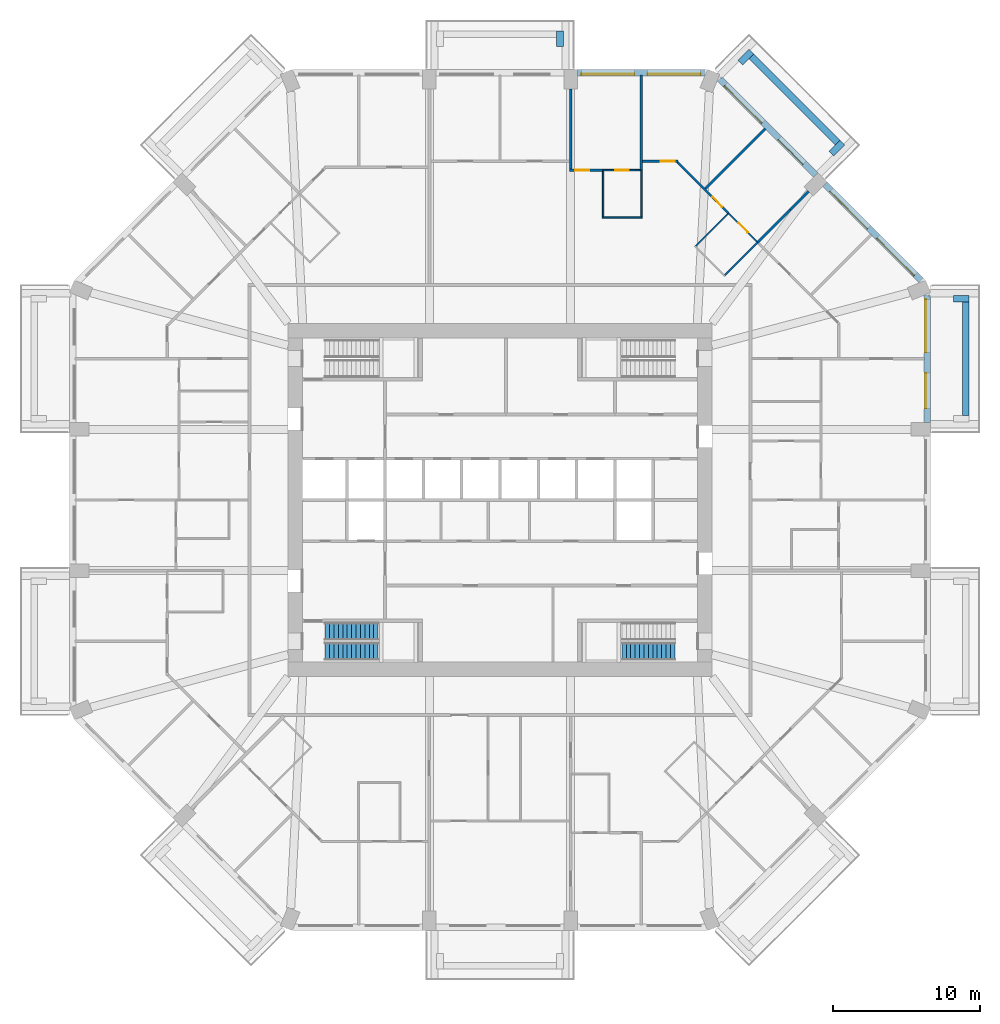
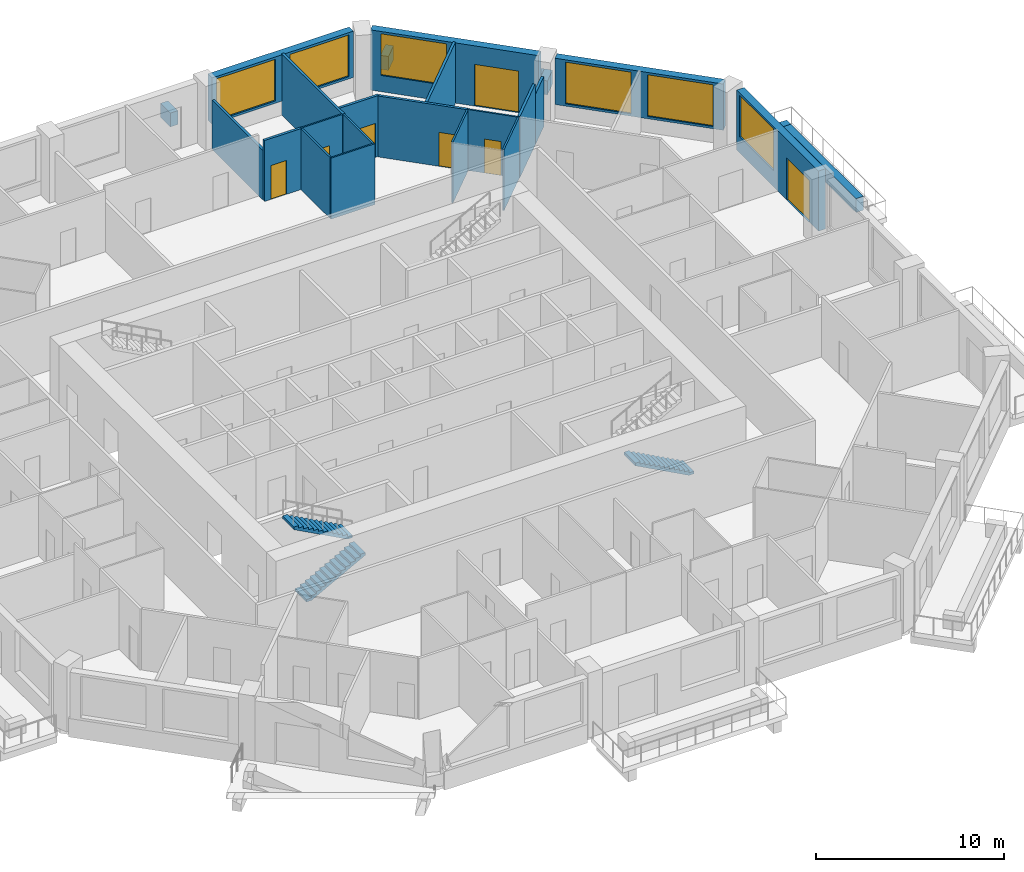
# One storey, part 10 of 13: 25 walls, 7 doors, 6 windows, 3 stair flights, 13 openings, 2 elements without a shape of their own.
"""IFC4 building model written with IfcOpenShell, lengths in metres."""

from ifc_helpers import new_model, si_unit, direction, frame, frame_2d, origin, place, context, subcontext, project, spatial, polyline, rectangle, outline, extrude, material, layer, layer_set, type_object, element, fill, aggregate, save


model = new_model("IFC4")

# Units and contexts
model_context = context("Model", 3, precision=1e-05, world=origin(), true_north=direction((0.0, 1.0)))
body_context = subcontext(model_context, "Body", "Model", "MODEL_VIEW")
ifc_project = project(units=[si_unit("LENGTHUNIT", "METRE"), si_unit("AREAUNIT", "SQUARE_METRE"), si_unit("VOLUMEUNIT", "CUBIC_METRE"), si_unit("PLANEANGLEUNIT", "RADIAN"), si_unit("MASSUNIT", "GRAM", prefix="KILO")], contexts=[model_context])

# Site, building, storey
site_placement = place(None, origin())
site = spatial("IfcSite", under=ifc_project, at=site_placement, CompositionType="ELEMENT")
building_placement = place(site_placement, origin())
building = spatial("IfcBuilding", under=site, at=building_placement, Name="Msitu Wima Residences", CompositionType="ELEMENT")
storey_placement = place(building_placement, frame((0.0, 0.0, 63.300048828125)))
storey = spatial("IfcBuildingStorey", under=building, at=storey_placement, Name="L14", CompositionType="ELEMENT", Elevation=63.300048828125)

# Walls
ifc_material_1 = material(Name="Facing brick")
ifc_layer_1 = layer(ifc_material_1, 0.06494140625, Name="Facing brick")
ifc_material_2 = material(Name="Concrete C40/50", Category="concrete")
ifc_layer_2 = layer(ifc_material_2, 0.156005859375, Name="Concrete C40/50")
ifc_material_3 = material(Name="Waterproofing membrane")
ifc_layer_3 = layer(ifc_material_3, 0.00390625, Name="Waterproofing membrane")
ifc_material_4 = material(Name="Planting soil and planting")
ifc_layer_4 = layer(ifc_material_4, 0.22509765625, Name="Planting soil and planting")
ifc_layer_set_1 = layer_set([ifc_layer_1, ifc_layer_2, ifc_layer_3, ifc_layer_4], Name="Concrete C40/50")
wall_type_1 = type_object("IfcWallType", Name="Balcony planter PLANTER PL450", PredefinedType="USERDEFINED", material=ifc_layer_set_1)
wall_1_placement = place(storey_placement, frame((31.625, 5.75, 0.0), z_axis=(0.0, 0.0, 1.0), x_axis=(0.0, 1.0, 0.0)))
element("IfcWall", 1, at=wall_1_placement, inside=storey, type_object=wall_type_1, Name="Balcony planter E2 L14", ObjectType="PLANTER", PredefinedType="USERDEFINED", context=body_context, shape_type="SweptSolid", body=[
    extrude(rectangle(XDim=7.699951171875, YDim=0.449951171875, at=frame_2d((3.85009765625, 0.0))), origin(), (0.0, 0.0, 1.0), 0.89990234375),
])
wall_2_placement = place(storey_placement, frame((30.800048828125, 13.675048828125, 0.0), z_axis=(0.0, 0.0, 1.0), x_axis=(1.0, 0.0, 0.0)))
element("IfcWall", 2, at=wall_2_placement, inside=storey, type_object=wall_type_1, Name="Balcony planter E2 L14", ObjectType="PLANTER", PredefinedType="USERDEFINED", context=body_context, shape_type="SweptSolid", body=[
    extrude(rectangle(XDim=1.050048828125, YDim=0.449951171875, at=frame_2d((0.52490234375, 0.0))), origin(), (0.0, 0.0, 1.0), 0.89990234375),
])
wall_3_placement = place(storey_placement, frame((22.92578125, 24.269287109375, 0.0), z_axis=(0.0, 0.0, 1.0), x_axis=(-0.707106781187, 0.707106781187, 0.0)))
element("IfcWall", 3, at=wall_3_placement, inside=storey, type_object=wall_type_1, Name="Balcony planter NE1 L14", ObjectType="PLANTER", PredefinedType="USERDEFINED", context=body_context, shape_type="SweptSolid", body=[
    extrude(rectangle(XDim=8.2822265625, YDim=0.449951171875, at=frame_2d((4.14111328125, 0.0))), origin(), (0.0, 0.0, 1.0), 0.89990234375),
])
for number, where, z_axis, x_axis, name in (
    (4, (22.50146484375, 23.52685546875, 0.0), (0.0, 0.0, 1.0), (0.707223014731, 0.706990528533, 0.0), "Balcony planter NE1 L14"),
    (5, (16.326904296875, 29.70166015625, 0.0), (0.0, 0.0, 1.0), (0.707106781187, 0.707106781187, 0.0), "Balcony planter NE1 L14"),
    (6, (4.074951171875, 30.800048828125, 0.0), (0.0, 0.0, 1.0), (0.0, 1.0, 0.0), "Balcony planter N1 L14"),
):
    element("IfcWall", number, at=place(storey_placement, frame(where, z_axis=z_axis, x_axis=x_axis)), inside=storey, type_object=wall_type_1, Name=name, ObjectType="PLANTER", PredefinedType="USERDEFINED", context=body_context, shape_type="SweptSolid", body=[
        extrude(rectangle(XDim=1.050048828125, YDim=0.449951171875, at=frame_2d((0.52490234375, 0.0))), origin(), (0.0, 0.0, 1.0), 0.89990234375),
    ])

# Wall, openings, door, window
ifc_material_5 = material(Name="Brick (red buff mix)", Category="masonry")
ifc_layer_5 = layer(ifc_material_5, 0.449951171875)
ifc_layer_set_2 = layer_set([ifc_layer_5], Name="Brick (red buff mix)")
wall_type_2 = type_object("IfcWallType", Name="Brick infill wall BW450", PredefinedType="SOLIDWALL", material=ifc_layer_set_2)
wall_4_placement = place(storey_placement, frame((29.02490234375, 5.25, 0.0), z_axis=(0.0, 0.0, 1.0), x_axis=(0.0, 1.0, 0.0)))
wall_4 = element("IfcWall", 7, at=wall_4_placement, inside=storey, type_object=wall_type_2, Name="Brick infill wall L14 E2", PredefinedType="SOLIDWALL", context=body_context, shape_type="SweptSolid", body=[
    extrude(rectangle(XDim=8.662841796875, YDim=0.449951171875, at=frame_2d((4.33154296875, 0.0))), origin(), (0.0, 0.0, 1.0), 3.89990234375),
])
opening_1_placement = place(wall_4_placement, frame((0.9658203125, 0.0, 0.0)))
opening_1 = element("IfcOpeningElement", 8, at=opening_1_placement, cuts=wall_4, Name="Opening D13-15.002", PredefinedType="OPENING", context=body_context, shape_type="SweptSolid", body=[
    extrude(rectangle(XDim=2.39990234375, YDim=2.699951171875, at=frame_2d((1.199951171875, 1.35009765625))), frame((0.0, 0.23486328125, 0.0), z_axis=(0.0, -1.0, 0.0), x_axis=(1.0, 0.0, 0.0)), (0.0, 0.0, 1.0), 0.469970703125),
])
opening_2_placement = place(wall_4_placement, frame((4.781494140625, 0.0, 1.050048828125)))
opening_2 = element("IfcOpeningElement", 9, at=opening_2_placement, cuts=wall_4, Name="Opening W13-15.004", PredefinedType="OPENING", context=body_context, shape_type="SweptSolid", body=[
    extrude(rectangle(XDim=3.60009765625, YDim=2.699951171875, at=frame_2d((1.800048828125, 1.35009765625))), frame((0.0, 0.23486328125, 0.0), z_axis=(0.0, -1.0, 0.0), x_axis=(1.0, 0.0, 0.0)), (0.0, 0.0, 1.0), 0.469970703125),
])
ifc_material_6 = material(Name="Anodised aluminium, bronze finish, clear low-emissivity double glazing", Category="aluminium")
door_type_1 = type_object("IfcDoorType", Name="Balcony door D2400x2700", OperationType="SLIDING_TO_LEFT", PredefinedType="DOOR", material=ifc_material_6)
door_1_placement = place(opening_1_placement, origin())
door_1 = element("IfcDoor", 10, at=door_1_placement, inside=storey, type_object=door_type_1, Name="Balcony door L14 E2", OperationType="SINGLE_SWING_LEFT", OverallHeight=2.699951171875, OverallWidth=2.39990234375, PredefinedType="DOOR", context=body_context, shape_type="SweptSolid", body=[
    extrude(rectangle(XDim=2.39990234375, YDim=2.699951171875, at=frame_2d((1.199951171875, 1.35009765625))), frame((0.0, 0.1298828125, 0.0), z_axis=(0.0, -1.0, 0.0), x_axis=(1.0, 0.0, 0.0)), (0.0, 0.0, 1.0), 0.050048828125),
])
fill(opening_1, door_1)
window_type = type_object("IfcWindowType", Name="Window W3600x2700", PartitioningType="DOUBLE_PANEL_VERTICAL", PredefinedType="WINDOW", material=ifc_material_6)
window_1_placement = place(opening_2_placement, origin())
window_1 = element("IfcWindow", 11, at=window_1_placement, inside=storey, type_object=window_type, Name="Window L14 E2.2", OverallHeight=2.699951171875, OverallWidth=3.60009765625, PartitioningType="SINGLE_PANEL", PredefinedType="WINDOW", context=body_context, shape_type="SweptSolid", body=[
    extrude(rectangle(XDim=3.60009765625, YDim=2.699951171875, at=frame_2d((1.800048828125, 1.35009765625))), frame((0.0, 0.135009765625, 0.0), z_axis=(0.0, -1.0, 0.0), x_axis=(1.0, 0.0, 0.0)), (0.0, 0.0, 1.0), 0.06005859375),
])
fill(opening_2, window_1)

# Wall, openings, windows
wall_5_placement = place(storey_placement, frame((28.61474609375, 14.903564453125, 0.89990234375), z_axis=(0.0, 0.0, 1.0), x_axis=(-0.707106781187, 0.707106781187, 0.0)))
wall_5 = element("IfcWall", 12, at=wall_5_placement, inside=storey, type_object=wall_type_2, Name="Brick infill wall L14 NE0", PredefinedType="SOLIDWALL", context=body_context, shape_type="SweptSolid", body=[
    extrude(rectangle(XDim=9.2451171875, YDim=0.449951171875, at=frame_2d((4.62255859375, 0.0))), origin(), (0.0, 0.0, 1.0), 3.0),
])
opening_3_placement = place(wall_5_placement, frame((0.572509765625, 0.0, 0.14990234375)))
opening_3 = element("IfcOpeningElement", 13, at=opening_3_placement, cuts=wall_5, Name="Opening W13-15.010", PredefinedType="OPENING", context=body_context, shape_type="SweptSolid", body=[
    extrude(rectangle(XDim=3.60009765625, YDim=2.699951171875, at=frame_2d((1.800048828125, 1.35009765625))), frame((0.0, 0.23486328125, 0.0), z_axis=(0.0, -1.0, 0.0), x_axis=(1.0, 0.0, 0.0)), (0.0, 0.0, 1.0), 0.469970703125),
])
opening_4_placement = place(wall_5_placement, frame((5.072509765625, 0.0, 0.14990234375)))
opening_4 = element("IfcOpeningElement", 14, at=opening_4_placement, cuts=wall_5, Name="Opening W13-15.011", PredefinedType="OPENING", context=body_context, shape_type="SweptSolid", body=[
    extrude(rectangle(XDim=3.60009765625, YDim=2.699951171875, at=frame_2d((1.800048828125, 1.35009765625))), frame((0.0, 0.23486328125, 0.0), z_axis=(0.0, -1.0, 0.0), x_axis=(1.0, 0.0, 0.0)), (0.0, 0.0, 1.0), 0.469970703125),
])
window_2_placement = place(opening_3_placement, origin())
window_2 = element("IfcWindow", 15, at=window_2_placement, inside=storey, type_object=window_type, Name="Window L14 NE0.1", OverallHeight=2.699951171875, OverallWidth=3.60009765625, PartitioningType="SINGLE_PANEL", PredefinedType="WINDOW", context=body_context, shape_type="SweptSolid", body=[
    extrude(rectangle(XDim=3.60009765625, YDim=2.699951171875, at=frame_2d((1.800048828125, 1.35009765625))), frame((0.0, 0.135009765625, 0.0), z_axis=(0.0, -1.0, 0.0), x_axis=(1.0, 0.0, 0.0)), (0.0, 0.0, 1.0), 0.06005859375),
])
fill(opening_3, window_2)
window_3_placement = place(opening_4_placement, origin())
window_3 = element("IfcWindow", 16, at=window_3_placement, inside=storey, type_object=window_type, Name="Window L14 NE0.2", OverallHeight=2.699951171875, OverallWidth=3.60009765625, PartitioningType="SINGLE_PANEL", PredefinedType="WINDOW", context=body_context, shape_type="SweptSolid", body=[
    extrude(rectangle(XDim=3.60009765625, YDim=2.699951171875, at=frame_2d((1.800048828125, 1.35009765625))), frame((0.0, 0.135009765625, 0.0), z_axis=(0.0, -1.0, 0.0), x_axis=(1.0, 0.0, 0.0)), (0.0, 0.0, 1.0), 0.06005859375),
])
fill(opening_4, window_3)

# Wall, openings, door, window
wall_6_placement = place(storey_placement, frame((21.44091796875, 22.077392578125, 0.0), z_axis=(0.0, 0.0, 1.0), x_axis=(-0.707106781187, 0.707106781187, 0.0)))
wall_6 = element("IfcWall", 17, at=wall_6_placement, inside=storey, type_object=wall_type_2, Name="Brick infill wall L14 NE1", PredefinedType="SOLIDWALL", context=body_context, shape_type="SweptSolid", body=[
    extrude(rectangle(XDim=9.2451171875, YDim=0.449951171875, at=frame_2d((4.62255859375, 0.0))), origin(), (0.0, 0.0, 1.0), 3.89990234375),
])
opening_5_placement = place(wall_6_placement, frame((1.111328125, 0.0, 0.0)))
opening_5 = element("IfcOpeningElement", 18, at=opening_5_placement, cuts=wall_6, Name="Opening D13-15.004", PredefinedType="OPENING", context=body_context, shape_type="SweptSolid", body=[
    extrude(rectangle(XDim=2.39990234375, YDim=2.699951171875, at=frame_2d((1.199951171875, 1.35009765625))), frame((0.0, 0.23486328125, 0.0), z_axis=(0.0, -1.0, 0.0), x_axis=(1.0, 0.0, 0.0)), (0.0, 0.0, 1.0), 0.469970703125),
])
opening_6_placement = place(wall_6_placement, frame((5.072509765625, 0.0, 1.050048828125)))
opening_6 = element("IfcOpeningElement", 19, at=opening_6_placement, cuts=wall_6, Name="Opening W13-15.012", PredefinedType="OPENING", context=body_context, shape_type="SweptSolid", body=[
    extrude(rectangle(XDim=3.60009765625, YDim=2.699951171875, at=frame_2d((1.800048828125, 1.35009765625))), frame((0.0, 0.23486328125, 0.0), z_axis=(0.0, -1.0, 0.0), x_axis=(1.0, 0.0, 0.0)), (0.0, 0.0, 1.0), 0.469970703125),
])
door_2_placement = place(opening_5_placement, origin())
door_2 = element("IfcDoor", 20, at=door_2_placement, inside=storey, type_object=door_type_1, Name="Balcony door L14 NE1", OperationType="SINGLE_SWING_LEFT", OverallHeight=2.699951171875, OverallWidth=2.39990234375, PredefinedType="DOOR", context=body_context, shape_type="SweptSolid", body=[
    extrude(rectangle(XDim=2.39990234375, YDim=2.699951171875, at=frame_2d((1.199951171875, 1.35009765625))), frame((0.0, 0.1298828125, 0.0), z_axis=(0.0, -1.0, 0.0), x_axis=(1.0, 0.0, 0.0)), (0.0, 0.0, 1.0), 0.050048828125),
])
fill(opening_5, door_2)
window_4_placement = place(opening_6_placement, origin())
window_4 = element("IfcWindow", 21, at=window_4_placement, inside=storey, type_object=window_type, Name="Window L14 NE1.2", OverallHeight=2.699951171875, OverallWidth=3.60009765625, PartitioningType="SINGLE_PANEL", PredefinedType="WINDOW", context=body_context, shape_type="SweptSolid", body=[
    extrude(rectangle(XDim=3.60009765625, YDim=2.699951171875, at=frame_2d((1.800048828125, 1.35009765625))), frame((0.0, 0.135009765625, 0.0), z_axis=(0.0, -1.0, 0.0), x_axis=(1.0, 0.0, 0.0)), (0.0, 0.0, 1.0), 0.06005859375),
])
fill(opening_6, window_4)

# Wall, openings, windows
wall_7_placement = place(storey_placement, frame((13.912841796875, 29.02490234375, 0.89990234375), z_axis=(0.0, 0.0, 1.0), x_axis=(-1.0, 0.0, 0.0)))
wall_7 = element("IfcWall", 22, at=wall_7_placement, inside=storey, type_object=wall_type_2, Name="Brick infill wall L14 N0", PredefinedType="SOLIDWALL", context=body_context, shape_type="SweptSolid", body=[
    extrude(rectangle(XDim=8.662841796875, YDim=0.449951171875, at=frame_2d((4.33154296875, 0.0))), origin(), (0.0, 0.0, 1.0), 3.0),
])
opening_7_placement = place(wall_7_placement, frame((0.281494140625, 0.0, 0.14990234375)))
opening_7 = element("IfcOpeningElement", 23, at=opening_7_placement, cuts=wall_7, Name="Opening W13-15.005", PredefinedType="OPENING", context=body_context, shape_type="SweptSolid", body=[
    extrude(rectangle(XDim=3.60009765625, YDim=2.699951171875, at=frame_2d((1.800048828125, 1.35009765625))), frame((0.0, 0.23486328125, 0.0), z_axis=(0.0, -1.0, 0.0), x_axis=(1.0, 0.0, 0.0)), (0.0, 0.0, 1.0), 0.469970703125),
])
opening_8_placement = place(wall_7_placement, frame((4.781494140625, 0.0, 0.14990234375)))
opening_8 = element("IfcOpeningElement", 24, at=opening_8_placement, cuts=wall_7, Name="Opening W13-15.006", PredefinedType="OPENING", context=body_context, shape_type="SweptSolid", body=[
    extrude(rectangle(XDim=3.60009765625, YDim=2.699951171875, at=frame_2d((1.800048828125, 1.35009765625))), frame((0.0, 0.23486328125, 0.0), z_axis=(0.0, -1.0, 0.0), x_axis=(1.0, 0.0, 0.0)), (0.0, 0.0, 1.0), 0.469970703125),
])
window_5_placement = place(opening_7_placement, origin())
window_5 = element("IfcWindow", 25, at=window_5_placement, inside=storey, type_object=window_type, Name="Window L14 N0.1", OverallHeight=2.699951171875, OverallWidth=3.60009765625, PartitioningType="SINGLE_PANEL", PredefinedType="WINDOW", context=body_context, shape_type="SweptSolid", body=[
    extrude(rectangle(XDim=3.60009765625, YDim=2.699951171875, at=frame_2d((1.800048828125, 1.35009765625))), frame((0.0, 0.135009765625, 0.0), z_axis=(0.0, -1.0, 0.0), x_axis=(1.0, 0.0, 0.0)), (0.0, 0.0, 1.0), 0.06005859375),
])
fill(opening_7, window_5)
window_6_placement = place(opening_8_placement, origin())
window_6 = element("IfcWindow", 26, at=window_6_placement, inside=storey, type_object=window_type, Name="Window L14 N0.2", OverallHeight=2.699951171875, OverallWidth=3.60009765625, PartitioningType="SINGLE_PANEL", PredefinedType="WINDOW", context=body_context, shape_type="SweptSolid", body=[
    extrude(rectangle(XDim=3.60009765625, YDim=2.699951171875, at=frame_2d((1.800048828125, 1.35009765625))), frame((0.0, 0.135009765625, 0.0), z_axis=(0.0, -1.0, 0.0), x_axis=(1.0, 0.0, 0.0)), (0.0, 0.0, 1.0), 0.06005859375),
])
fill(opening_8, window_6)

# Wall
ifc_material_7 = material(Name="Plaster")
ifc_layer_6 = layer(ifc_material_7, 0.011962890625, Name="Plaster")
ifc_material_8 = material(Name="Concrete blockwork", Category="masonry")
ifc_layer_7 = layer(ifc_material_8, 0.1259765625, Name="Concrete blockwork")
ifc_layer_8 = layer(ifc_material_7, 0.011962890625, Name="Plaster")
ifc_layer_set_3 = layer_set([ifc_layer_6, ifc_layer_7, ifc_layer_8], Name="Concrete blockwork")
wall_type_3 = type_object("IfcWallType", Name="Partition PW150", PredefinedType="PARTITIONING", material=ifc_layer_set_3)
wall_8_placement = place(storey_placement, frame((4.800048828125, 22.47509765625, 0.0), z_axis=(0.0, 0.0, 1.0), x_axis=(0.0, 1.0, 0.0)))
element("IfcWall", 27, at=wall_8_placement, inside=storey, type_object=wall_type_3, Name="Partition", PredefinedType="PARTITIONING", context=body_context, shape_type="SweptSolid", body=[
    extrude(rectangle(XDim=5.4248046875, YDim=0.14990234375, at=frame_2d((2.71240234375, 0.0))), origin(), (0.0, 0.0, 1.0), 3.199951171875),
])

# Wall, opening, door
wall_9_placement = place(storey_placement, frame((4.72509765625, 22.39990234375, 0.0), z_axis=(0.0, 0.0, 1.0), x_axis=(1.0, 0.0, 0.0)))
wall_9 = element("IfcWall", 28, at=wall_9_placement, inside=storey, type_object=wall_type_3, Name="Partition", PredefinedType="PARTITIONING", context=body_context, shape_type="SweptSolid", body=[
    extrude(rectangle(XDim=2.2548828125, YDim=0.14990234375, at=frame_2d((1.12744140625, 0.0))), origin(), (0.0, 0.0, 1.0), 3.949951171875),
])
opening_9_placement = place(wall_9_placement, frame((0.39990234375, 0.0, 0.0)))
opening_9 = element("IfcOpeningElement", 29, at=opening_9_placement, cuts=wall_9, Name="Opening D13-15.041", PredefinedType="OPENING", context=body_context, shape_type="SweptSolid", body=[
    extrude(rectangle(XDim=0.949951171875, YDim=2.199951171875, at=frame_2d((0.47509765625, 1.10009765625))), frame((0.0, 0.0849609375, 0.0), z_axis=(0.0, -1.0, 0.0), x_axis=(1.0, 0.0, 0.0)), (0.0, 0.0, 1.0), 0.169921875),
])
ifc_material_9 = material(Name="Timber flush door", Category="wood")
door_type_2 = type_object("IfcDoorType", Name="Room door D12 950x2200", OperationType="SINGLE_SWING_LEFT", PredefinedType="DOOR", material=ifc_material_9)
door_3_placement = place(opening_9_placement, origin())
door_3 = element("IfcDoor", 30, at=door_3_placement, inside=storey, type_object=door_type_2, Name="Room door", OperationType="SINGLE_SWING_LEFT", OverallHeight=2.199951171875, OverallWidth=0.949951171875, PredefinedType="DOOR", context=body_context, shape_type="SweptSolid", body=[
    extrude(rectangle(XDim=0.949951171875, YDim=2.199951171875, at=frame_2d((0.47509765625, 1.10009765625))), frame((0.0, 0.02490234375, 0.0), z_axis=(0.0, -1.0, 0.0), x_axis=(1.0, 0.0, 0.0)), (0.0, 0.0, 1.0), 0.050048828125),
])
fill(opening_9, door_3)

# Wall
wall_10_placement = place(storey_placement, frame((9.60009765625, 22.3798828125, 0.0), z_axis=(0.0, 0.0, 1.0), x_axis=(0.0, 1.0, 0.0)))
element("IfcWall", 31, at=wall_10_placement, inside=storey, type_object=wall_type_3, Name="Partition", PredefinedType="PARTITIONING", context=body_context, shape_type="SweptSolid", body=[
    extrude(rectangle(XDim=6.47509765625, YDim=0.14990234375, at=frame_2d((3.237548828125, 0.0))), origin(), (0.0, 0.0, 1.0), 3.949951171875),
])

# Wall, opening, door
wall_11_placement = place(storey_placement, frame((9.675048828125, 23.0, 0.0), z_axis=(0.0, 0.0, 1.0), x_axis=(1.0, 0.0, 0.0)))
wall_11 = element("IfcWall", 32, at=wall_11_placement, inside=storey, type_object=wall_type_3, Name="Partition", PredefinedType="PARTITIONING", context=body_context, shape_type="SweptSolid", body=[
    extrude(rectangle(XDim=2.3974609375, YDim=0.14990234375, at=frame_2d((1.19873046875, 0.0))), origin(), (0.0, 0.0, 1.0), 3.949951171875),
])
opening_10_placement = place(wall_11_placement, frame((1.25, 0.0, 0.0)))
opening_10 = element("IfcOpeningElement", 33, at=opening_10_placement, cuts=wall_11, Name="Opening D13-15.045", PredefinedType="OPENING", context=body_context, shape_type="SweptSolid", body=[
    extrude(rectangle(XDim=0.949951171875, YDim=2.199951171875, at=frame_2d((0.47509765625, 1.10009765625))), frame((0.0, 0.0849609375, 0.0), z_axis=(0.0, -1.0, 0.0), x_axis=(1.0, 0.0, 0.0)), (0.0, 0.0, 1.0), 0.169921875),
])
door_4_placement = place(opening_10_placement, origin())
door_4 = element("IfcDoor", 34, at=door_4_placement, inside=storey, type_object=door_type_2, Name="Room door", OperationType="SINGLE_SWING_LEFT", OverallHeight=2.199951171875, OverallWidth=0.949951171875, PredefinedType="DOOR", context=body_context, shape_type="SweptSolid", body=[
    extrude(rectangle(XDim=0.949951171875, YDim=2.199951171875, at=frame_2d((0.47509765625, 1.10009765625))), frame((0.0, 0.02490234375, 0.0), z_axis=(0.0, -1.0, 0.0), x_axis=(1.0, 0.0, 0.0)), (0.0, 0.0, 1.0), 0.050048828125),
])
fill(opening_10, door_4)

wall_12_placement = place(storey_placement, frame((12.050537109375, 22.947021484375, 0.0), z_axis=(0.0, 0.0, 1.0), x_axis=(0.707106781187, -0.707106781187, 0.0)))
wall_12 = element("IfcWall", 35, at=wall_12_placement, inside=storey, type_object=wall_type_3, Name="Partition", PredefinedType="PARTITIONING", context=body_context, shape_type="SweptSolid", body=[
    extrude(rectangle(XDim=4.90478515625, YDim=0.14990234375, at=frame_2d((2.452392578125, 0.0))), origin(), (0.0, 0.0, 1.0), 3.949951171875),
])
opening_11_placement = place(wall_12_placement, frame((3.35009765625, 0.0, 0.0)))
opening_11 = element("IfcOpeningElement", 36, at=opening_11_placement, cuts=wall_12, Name="Opening D13-15.039", PredefinedType="OPENING", context=body_context, shape_type="SweptSolid", body=[
    extrude(rectangle(XDim=0.949951171875, YDim=2.199951171875, at=frame_2d((0.47509765625, 1.10009765625))), frame((0.0, 0.0849609375, 0.0), z_axis=(0.0, -1.0, 0.0), x_axis=(1.0, 0.0, 0.0)), (0.0, 0.0, 1.0), 0.169921875),
])
door_5_placement = place(opening_11_placement, origin())
door_5 = element("IfcDoor", 37, at=door_5_placement, inside=storey, type_object=door_type_2, Name="Room door", OperationType="SINGLE_SWING_LEFT", OverallHeight=2.199951171875, OverallWidth=0.949951171875, PredefinedType="DOOR", context=body_context, shape_type="SweptSolid", body=[
    extrude(rectangle(XDim=0.949951171875, YDim=2.199951171875, at=frame_2d((0.47509765625, 1.10009765625))), frame((0.0, 0.02490234375, 0.0), z_axis=(0.0, -1.0, 0.0), x_axis=(1.0, 0.0, 0.0)), (0.0, 0.0, 1.0), 0.050048828125),
])
fill(opening_11, door_5)

# Walls
wall_13_placement = place(storey_placement, frame((13.951904296875, 21.15185546875, 0.0), z_axis=(0.0, 0.0, 1.0), x_axis=(0.707085550893, 0.707128010843, 0.0)))
element("IfcWall", 38, at=wall_13_placement, inside=storey, type_object=wall_type_3, Name="Partition", PredefinedType="PARTITIONING", context=body_context, shape_type="SweptSolid", body=[
    extrude(rectangle(XDim=5.75, YDim=0.14990234375, at=frame_2d((2.875, 0.0))), origin(), (0.0, 0.0, 1.0), 3.949951171875),
])
wall_14_placement = place(storey_placement, frame((17.484619140625, 17.484619140625, 0.0), z_axis=(0.0, 0.0, 1.0), x_axis=(0.707106781187, 0.707106781187, 0.0)))
element("IfcWall", 39, at=wall_14_placement, inside=storey, type_object=wall_type_3, Name="Partition", PredefinedType="PARTITIONING", context=body_context, shape_type="SweptSolid", body=[
    extrude(rectangle(XDim=3.171630859375, YDim=0.14990234375, at=frame_2d((1.5859375, 0.0))), origin(), (0.0, 0.0, 1.0), 3.949951171875),
])
wall_15_placement = place(storey_placement, frame((19.727294921875, 19.727294921875, 0.0), z_axis=(0.0, 0.0, 1.0), x_axis=(0.707106781187, 0.707106781187, 0.0)))
element("IfcWall", 40, at=wall_15_placement, inside=storey, type_object=wall_type_3, Name="Partition", PredefinedType="PARTITIONING", context=body_context, shape_type="SweptSolid", body=[
    extrude(rectangle(XDim=1.74853515625, YDim=0.14990234375, at=frame_2d((0.874267578125, 0.0))), origin(), (0.0, 0.0, 1.0), 3.25),
])

# Wall, opening, door
ifc_material_10 = material(Name="Ceramic tiles")
ifc_layer_9 = layer(ifc_material_10, 0.008056640625, Name="Ceramic tiles")
ifc_material_11 = material(Name="Moisture-resistant board")
ifc_layer_10 = layer(ifc_material_11, 0.012451171875, Name="Moisture-resistant board")
ifc_material_12 = material(Name="Light-gauge stud framing with mineral wool")
ifc_layer_11 = layer(ifc_material_12, 0.06689453125, Name="Light-gauge stud framing with mineral wool")
ifc_layer_12 = layer(ifc_material_11, 0.012451171875, Name="Moisture-resistant board")
ifc_layer_set_4 = layer_set([ifc_layer_9, ifc_layer_10, ifc_layer_11, ifc_layer_12], Name="Light-gauge stud framing with mineral wool")
wall_type_4 = type_object("IfcWallType", Name="Wet wall PW100", PredefinedType="PARTITIONING", material=ifc_layer_set_4)
wall_16_placement = place(storey_placement, frame((6.97998046875, 22.39990234375, 0.0), z_axis=(0.0, 0.0, 1.0), x_axis=(1.0, 0.0, 0.0)))
wall_16 = element("IfcWall", 41, at=wall_16_placement, inside=storey, type_object=wall_type_4, Name="Wet wall", PredefinedType="PARTITIONING", context=body_context, shape_type="SweptSolid", body=[
    extrude(rectangle(XDim=2.544921875, YDim=0.10009765625, at=frame_2d((1.2724609375, 0.0))), origin(), (0.0, 0.0, 1.0), 3.949951171875),
])
opening_12_placement = place(wall_16_placement, frame((0.85009765625, 0.0, 0.0)))
opening_12 = element("IfcOpeningElement", 42, at=opening_12_placement, cuts=wall_16, Name="Opening D13-15.042", PredefinedType="OPENING", context=body_context, shape_type="SweptSolid", body=[
    extrude(rectangle(XDim=0.89990234375, YDim=2.199951171875, at=frame_2d((0.449951171875, 1.10009765625))), frame((0.0, 0.06005859375, 0.0), z_axis=(0.0, -1.0, 0.0), x_axis=(1.0, 0.0, 0.0)), (0.0, 0.0, 1.0), 0.1201171875),
])
ifc_material_13 = material(Name="Timber flush door, moisture resistant", Category="wood")
door_type_3 = type_object("IfcDoorType", Name="Bathroom door D03 900x2200", OperationType="SINGLE_SWING_LEFT", PredefinedType="DOOR", material=ifc_material_13)
door_6_placement = place(opening_12_placement, origin())
door_6 = element("IfcDoor", 43, at=door_6_placement, inside=storey, type_object=door_type_3, Name="Bathroom door", OperationType="SINGLE_SWING_RIGHT", OverallHeight=2.199951171875, OverallWidth=0.89990234375, PredefinedType="DOOR", context=body_context, shape_type="SweptSolid", body=[
    extrude(rectangle(XDim=0.89990234375, YDim=2.199951171875, at=frame_2d((0.449951171875, 1.10009765625))), frame((0.0, 0.02490234375, 0.0), z_axis=(0.0, -1.0, 0.0), x_axis=(1.0, 0.0, 0.0)), (0.0, 0.0, 1.0), 0.050048828125),
])
fill(opening_12, door_6)

# Walls
wall_17_placement = place(storey_placement, frame((7.0, 19.25, 0.0), z_axis=(0.0, 0.0, 1.0), x_axis=(0.0, 1.0, 0.0)))
element("IfcWall", 44, at=wall_17_placement, inside=storey, type_object=wall_type_4, Name="Wet wall", PredefinedType="PARTITIONING", context=body_context, shape_type="SweptSolid", body=[
    extrude(rectangle(XDim=3.074951171875, YDim=0.10009765625, at=frame_2d((1.53759765625, 0.0))), origin(), (0.0, 0.0, 1.0), 3.949951171875),
])
wall_18_placement = place(storey_placement, frame((6.949951171875, 19.199951171875, 0.0), z_axis=(0.0, 0.0, 1.0), x_axis=(1.0, 0.0, 0.0)))
element("IfcWall", 45, at=wall_18_placement, inside=storey, type_object=wall_type_4, Name="Wet wall", PredefinedType="PARTITIONING", context=body_context, shape_type="SweptSolid", body=[
    extrude(rectangle(XDim=2.699951171875, YDim=0.10009765625, at=frame_2d((1.35009765625, 0.0))), origin(), (0.0, 0.0, 1.0), 3.949951171875),
])
wall_19_placement = place(storey_placement, frame((9.60009765625, 19.25, 0.0), z_axis=(0.0, 0.0, 1.0), x_axis=(0.0, 1.0, 0.0)))
element("IfcWall", 46, at=wall_19_placement, inside=storey, type_object=wall_type_4, Name="Wet wall", PredefinedType="PARTITIONING", context=body_context, shape_type="SweptSolid", body=[
    extrude(rectangle(XDim=3.1298828125, YDim=0.10009765625, at=frame_2d((1.56494140625, 0.0))), origin(), (0.0, 0.0, 1.0), 3.949951171875),
])
wall_20_placement = place(storey_placement, frame((13.29150390625, 17.251220703125, 0.0), z_axis=(0.0, 0.0, 1.0), x_axis=(0.707106781187, 0.707106781187, 0.0)))
element("IfcWall", 47, at=wall_20_placement, inside=storey, type_object=wall_type_4, Name="Wet wall", PredefinedType="PARTITIONING", context=body_context, shape_type="SweptSolid", body=[
    extrude(rectangle(XDim=3.10009765625, YDim=0.10009765625, at=frame_2d((1.550048828125, 0.0))), origin(), (0.0, 0.0, 1.0), 3.949951171875),
])
wall_21_placement = place(storey_placement, frame((15.271484375, 15.271484375, 0.0), z_axis=(0.0, 0.0, 1.0), x_axis=(0.707106781187, 0.707106781187, 0.0)))
element("IfcWall", 48, at=wall_21_placement, inside=storey, type_object=wall_type_4, Name="Wet wall", PredefinedType="PARTITIONING", context=body_context, shape_type="SweptSolid", body=[
    extrude(rectangle(XDim=3.1298828125, YDim=0.10009765625, at=frame_2d((1.56494140625, 0.0))), origin(), (0.0, 0.0, 1.0), 3.949951171875),
])

# Wall, opening, door
wall_22_placement = place(storey_placement, frame((15.518798828125, 19.478759765625, 0.0), z_axis=(0.0, 0.0, 1.0), x_axis=(0.707106781187, -0.707106781187, 0.0)))
wall_22 = element("IfcWall", 49, at=wall_22_placement, inside=storey, type_object=wall_type_4, Name="Wet wall", PredefinedType="PARTITIONING", context=body_context, shape_type="SweptSolid", body=[
    extrude(rectangle(XDim=2.800048828125, YDim=0.10009765625, at=frame_2d((1.39990234375, 0.0))), origin(), (0.0, 0.0, 1.0), 3.949951171875),
])
opening_13_placement = place(wall_22_placement, frame((0.949951171875, 0.0, 0.0)))
opening_13 = element("IfcOpeningElement", 50, at=opening_13_placement, cuts=wall_22, Name="Opening D13-15.040", PredefinedType="OPENING", context=body_context, shape_type="SweptSolid", body=[
    extrude(rectangle(XDim=0.89990234375, YDim=2.199951171875, at=frame_2d((0.449951171875, 1.10009765625))), frame((0.0, 0.06005859375, 0.0), z_axis=(0.0, -1.0, 0.0), x_axis=(1.0, 0.0, 0.0)), (0.0, 0.0, 1.0), 0.1201171875),
])
door_7_placement = place(opening_13_placement, origin())
door_7 = element("IfcDoor", 51, at=door_7_placement, inside=storey, type_object=door_type_3, Name="Bathroom door", OperationType="SINGLE_SWING_LEFT", OverallHeight=2.199951171875, OverallWidth=0.89990234375, PredefinedType="DOOR", context=body_context, shape_type="SweptSolid", body=[
    extrude(rectangle(XDim=0.89990234375, YDim=2.199951171875, at=frame_2d((0.449951171875, 1.10009765625))), frame((0.0, 0.02490234375, 0.0), z_axis=(0.0, -1.0, 0.0), x_axis=(1.0, 0.0, 0.0)), (0.0, 0.0, 1.0), 0.050048828125),
])
fill(opening_13, door_7)

# Stair, stair flights
stair_type = type_object("IfcStairType", Name="Exit stair ES1615-120", PredefinedType="HALF_TURN_STAIR", material=ifc_material_2)
stair_1_placement = place(storey_placement, origin())
stair_1 = element("IfcStair", 52, at=stair_1_placement, inside=storey, type_object=stair_type, Name="Exit stair 2", PredefinedType="HALF_TURN_STAIR")
stair_flight_type = type_object("IfcStairFlightType", Name="Exit stair flight ES1615-120", PredefinedType="STRAIGHT", material=ifc_material_2)
stair_flight_1_placement = place(storey_placement, frame((-11.875, -10.27490234375, 0.0), z_axis=(0.0, 0.0, 1.0), x_axis=(1.0, 0.0, 0.0)))
stair_flight_1 = element("IfcStairFlight", 53, at=stair_flight_1_placement, type_object=stair_flight_type, Name="S2 flight 1", NumberOfRisers=13, NumberOfTreads=12, PredefinedType="STRAIGHT", RiserHeight=0.161538462, TreadLength=0.3, context=body_context, shape_type="SweptSolid", body=[
    extrude(outline(polyline([(0.0, 0.0), (0.0, 0.16162109375), (0.300048828125, 0.16162109375), (0.300048828125, 0.322998046875), (0.60009765625, 0.322998046875), (0.60009765625, 0.484619140625), (0.89990234375, 0.484619140625), (0.89990234375, 0.646240234375), (1.199951171875, 0.646240234375), (1.199951171875, 0.8076171875), (1.5, 0.8076171875), (1.5, 0.96923828125), (1.800048828125, 0.96923828125), (1.800048828125, 1.130859375), (2.10009765625, 1.130859375), (2.10009765625, 1.292236328125), (2.39990234375, 1.292236328125), (2.39990234375, 1.453857421875), (2.699951171875, 1.453857421875), (2.699951171875, 1.615478515625), (3.0, 1.615478515625), (3.0, 1.77685546875), (3.300048828125, 1.77685546875), (3.300048828125, 1.9384765625), (3.60009765625, 1.9384765625), (3.60009765625, 2.10009765625), (3.60009765625, 1.768310546875), (0.316162109375, 0.0), (0.0, 0.0)])), frame((0.0, 0.60009765625, 0.0), z_axis=(0.0, -1.0, 0.0), x_axis=(1.0, 0.0, 0.0)), (0.0, 0.0, 1.0), 1.199951171875),
])
stair_flight_2_placement = place(storey_placement, frame((-8.27490234375, -8.925048828125, 2.099853515625), z_axis=(0.0, 0.0, 1.0), x_axis=(-1.0, 0.0, 0.0)))
stair_flight_2 = element("IfcStairFlight", 54, at=stair_flight_2_placement, type_object=stair_flight_type, Name="S2 flight 2", NumberOfRisers=13, NumberOfTreads=12, PredefinedType="STRAIGHT", RiserHeight=0.161538462, TreadLength=0.3, context=body_context, shape_type="SweptSolid", body=[
    extrude(outline(polyline([(0.0, 0.0), (0.0, 0.16162109375), (0.300048828125, 0.16162109375), (0.300048828125, 0.322998046875), (0.60009765625, 0.322998046875), (0.60009765625, 0.484619140625), (0.89990234375, 0.484619140625), (0.89990234375, 0.646240234375), (1.199951171875, 0.646240234375), (1.199951171875, 0.8076171875), (1.5, 0.8076171875), (1.5, 0.96923828125), (1.800048828125, 0.96923828125), (1.800048828125, 1.130859375), (2.10009765625, 1.130859375), (2.10009765625, 1.292236328125), (2.39990234375, 1.292236328125), (2.39990234375, 1.453857421875), (2.699951171875, 1.453857421875), (2.699951171875, 1.615478515625), (3.0, 1.615478515625), (3.0, 1.77685546875), (3.300048828125, 1.77685546875), (3.300048828125, 1.9384765625), (3.60009765625, 1.9384765625), (3.60009765625, 2.10009765625), (3.60009765625, 1.768310546875), (0.316162109375, 0.0), (0.0, 0.0)])), frame((0.0, 0.60009765625, 0.0), z_axis=(0.0, -1.0, 0.0), x_axis=(1.0, 0.0, 0.0)), (0.0, 0.0, 1.0), 1.199951171875),
])
aggregate(stair_1, [stair_flight_1, stair_flight_2])

# Stair, stair flight
stair_2_placement = place(storey_placement, origin())
stair_2 = element("IfcStair", 55, at=stair_2_placement, inside=storey, type_object=stair_type, Name="Exit stair 4", PredefinedType="HALF_TURN_STAIR")
stair_flight_3_placement = place(storey_placement, frame((11.875, -10.27490234375, 0.0), z_axis=(0.0, 0.0, 1.0), x_axis=(-1.0, 0.0, 0.0)))
stair_flight_3 = element("IfcStairFlight", 56, at=stair_flight_3_placement, type_object=stair_flight_type, Name="S4 flight 1", NumberOfRisers=13, NumberOfTreads=12, PredefinedType="STRAIGHT", RiserHeight=0.161538462, TreadLength=0.3, context=body_context, shape_type="SweptSolid", body=[
    extrude(outline(polyline([(0.0, 0.0), (0.0, 0.16162109375), (0.300048828125, 0.16162109375), (0.300048828125, 0.322998046875), (0.60009765625, 0.322998046875), (0.60009765625, 0.484619140625), (0.89990234375, 0.484619140625), (0.89990234375, 0.646240234375), (1.199951171875, 0.646240234375), (1.199951171875, 0.8076171875), (1.5, 0.8076171875), (1.5, 0.96923828125), (1.800048828125, 0.96923828125), (1.800048828125, 1.130859375), (2.10009765625, 1.130859375), (2.10009765625, 1.292236328125), (2.39990234375, 1.292236328125), (2.39990234375, 1.453857421875), (2.699951171875, 1.453857421875), (2.699951171875, 1.615478515625), (3.0, 1.615478515625), (3.0, 1.77685546875), (3.300048828125, 1.77685546875), (3.300048828125, 1.9384765625), (3.60009765625, 1.9384765625), (3.60009765625, 2.10009765625), (3.60009765625, 1.768310546875), (0.316162109375, 0.0), (0.0, 0.0)])), frame((0.0, 0.60009765625, 0.0), z_axis=(0.0, -1.0, 0.0), x_axis=(1.0, 0.0, 0.0)), (0.0, 0.0, 1.0), 1.199951171875),
])
aggregate(stair_2, [stair_flight_3])

save(model, "model.ifc")
